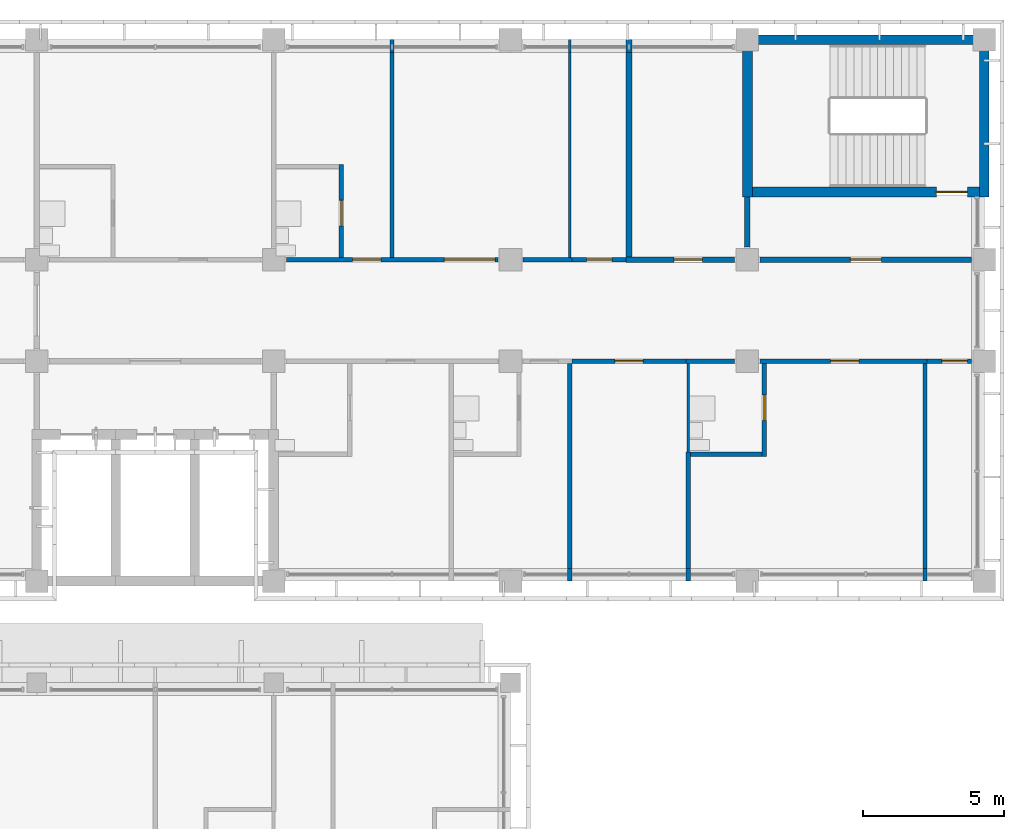
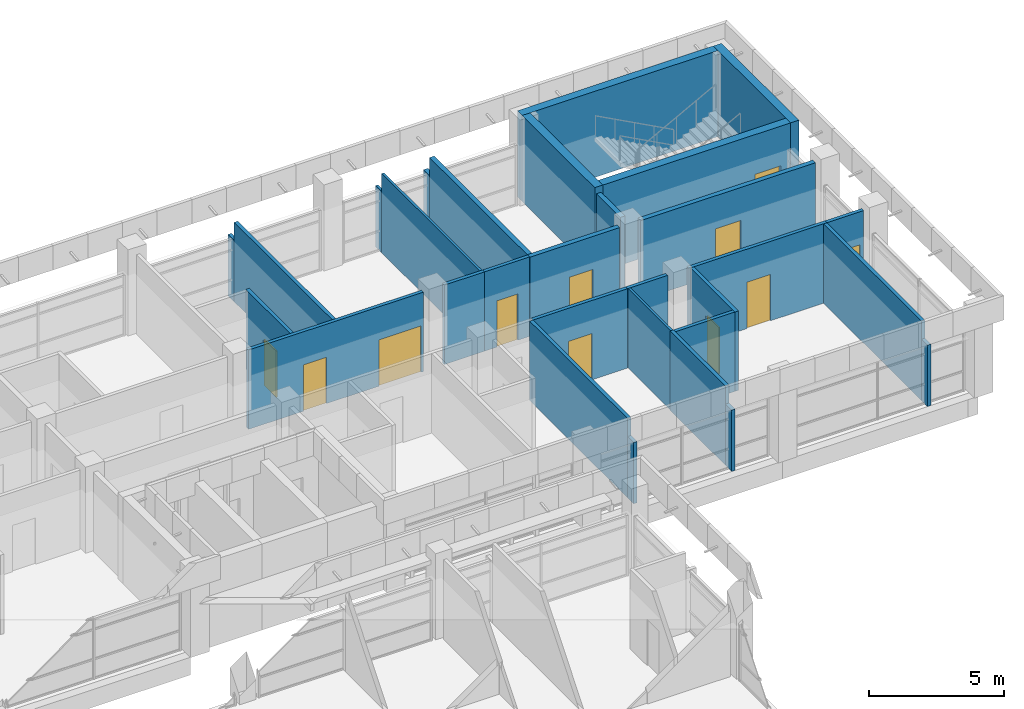
# One storey, part 39 of 71: 30 walls, 11 doors, 11 openings.
"""IFC4 building model written with IfcOpenShell, lengths in metres."""

from ifc_helpers import new_model, si_unit, direction, frame, frame_2d, origin, place, context, subcontext, project, spatial, rectangle, extrude, material, layer, layer_set, type_object, element, fill, save


model = new_model("IFC4")

# Units and contexts
model_context = context("Model", 3, precision=1e-05, world=origin(), true_north=direction((0.0, 1.0)))
body_context = subcontext(model_context, "Body", "Model", "MODEL_VIEW")
ifc_project = project(units=[si_unit("LENGTHUNIT", "METRE"), si_unit("AREAUNIT", "SQUARE_METRE"), si_unit("VOLUMEUNIT", "CUBIC_METRE"), si_unit("PLANEANGLEUNIT", "RADIAN"), si_unit("MASSUNIT", "GRAM", prefix="KILO")], contexts=[model_context])

# Site, building, storey
site_placement = place(None, origin())
site = spatial("IfcSite", under=ifc_project, at=site_placement, CompositionType="ELEMENT")
building_placement = place(site_placement, origin())
building = spatial("IfcBuilding", under=site, at=building_placement, Name="Bougainvillea Quay General Hospital", CompositionType="ELEMENT")
storey_placement = place(building_placement, frame((0.0, 0.0, 24.89990234375)))
storey = spatial("IfcBuildingStorey", under=building, at=storey_placement, Name="L05", CompositionType="ELEMENT", Elevation=24.89990234375)

# Walls
ifc_material_1 = material(Name="Gypsum board partition on steel studs", Category="steel")
ifc_layer_1 = layer(ifc_material_1, 0.10009765625)
ifc_layer_set_1 = layer_set([ifc_layer_1], Name="Gypsum board partition on steel studs")
wall_type_1 = type_object("IfcWallType", Name="Partition 100 Gypsum board partition", PredefinedType="PARTITIONING", material=ifc_layer_set_1)
wall_1_placement = place(storey_placement, frame((170.10009765625, 151.875, 0.0), z_axis=(0.0, 0.0, 1.0), x_axis=(0.0, 1.0, 0.0)))
element("IfcWall", 1, at=wall_1_placement, inside=storey, type_object=wall_type_1, Name="Partition 100 mm", PredefinedType="PARTITIONING", context=body_context, shape_type="SweptSolid", body=[
    extrude(rectangle(XDim=7.27490234375, YDim=0.10009765625, at=frame_2d((3.637451171875, 0.0))), origin(), (0.0, 0.0, 1.0), 3.60009765625),
])
wall_2_placement = place(storey_placement, frame((170.10009765625, 159.14990234375, 0.0), z_axis=(0.0, 0.0, 1.0), x_axis=(0.0, 1.0, 0.0)))
element("IfcWall", 2, at=wall_2_placement, inside=storey, type_object=wall_type_1, Name="Partition 100 mm", PredefinedType="PARTITIONING", context=body_context, shape_type="SweptSolid", body=[
    extrude(rectangle(XDim=0.4501953125, YDim=0.10009765625, at=frame_2d((0.22509765625, 0.0))), origin(), (0.0, 0.0, 1.0), 2.780029296875),
])
wall_3_placement = place(storey_placement, frame((174.300048828125, 144.97509765625, 0.0), z_axis=(0.0, 0.0, 1.0), x_axis=(0.0, 1.0, 0.0)))
element("IfcWall", 3, at=wall_3_placement, inside=storey, type_object=wall_type_1, Name="Partition 100 mm", PredefinedType="PARTITIONING", context=body_context, shape_type="SweptSolid", body=[
    extrude(rectangle(XDim=3.14990234375, YDim=0.10009765625, at=frame_2d((1.574951171875, 0.0))), origin(), (0.0, 0.0, 1.0), 3.60009765625),
])
ifc_material_2 = material(Name="Gypsum board partition on steel studs, insulated", Category="steel")
ifc_layer_2 = layer(ifc_material_2, 0.14990234375)
ifc_layer_set_2 = layer_set([ifc_layer_2], Name="Gypsum board partition on steel studs, insulated")
wall_type_2 = type_object("IfcWallType", Name="Partition 150 Gypsum board partition", PredefinedType="PARTITIONING", material=ifc_layer_set_2)
wall_4_placement = place(storey_placement, frame((163.800048828125, 151.875, 0.0), z_axis=(0.0, 0.0, 1.0), x_axis=(0.0, 1.0, 0.0)))
element("IfcWall", 4, at=wall_4_placement, inside=storey, type_object=wall_type_2, Name="Partition 150 mm", PredefinedType="PARTITIONING", context=body_context, shape_type="SweptSolid", body=[
    extrude(rectangle(XDim=7.27490234375, YDim=0.14990234375, at=frame_2d((3.637451171875, 0.0))), origin(), (0.0, 0.0, 1.0), 3.60009765625),
])
for number, where, z_axis, x_axis, name in (
    (5, (163.800048828125, 159.14990234375, 0.0), (0.0, 0.0, 1.0), (0.0, 1.0, 0.0), "Partition 150 mm"),
    (6, (170.10009765625, 140.39990234375, 0.0), (0.0, 0.0, 1.0), (0.0, 1.0, 0.0), "Partition 150 mm"),
):
    element("IfcWall", number, at=place(storey_placement, frame(where, z_axis=z_axis, x_axis=x_axis)), inside=storey, type_object=wall_type_2, Name=name, PredefinedType="PARTITIONING", context=body_context, shape_type="SweptSolid", body=[
        extrude(rectangle(XDim=0.4501953125, YDim=0.14990234375, at=frame_2d((0.22509765625, 0.0))), origin(), (0.0, 0.0, 1.0), 2.780029296875),
    ])
wall_5_placement = place(storey_placement, frame((170.10009765625, 140.85009765625, 0.0), z_axis=(0.0, 0.0, 1.0), x_axis=(0.0, 1.0, 0.0)))
element("IfcWall", 7, at=wall_5_placement, inside=storey, type_object=wall_type_2, Name="Partition 150 mm", PredefinedType="PARTITIONING", context=body_context, shape_type="SweptSolid", body=[
    extrude(rectangle(XDim=7.27490234375, YDim=0.14990234375, at=frame_2d((3.637451171875, 0.0))), origin(), (0.0, 0.0, 1.0), 3.60009765625),
])
wall_6_placement = place(storey_placement, frame((182.699951171875, 140.39990234375, 0.0), z_axis=(0.0, 0.0, 1.0), x_axis=(0.0, 1.0, 0.0)))
element("IfcWall", 8, at=wall_6_placement, inside=storey, type_object=wall_type_2, Name="Partition 150 mm", PredefinedType="PARTITIONING", context=body_context, shape_type="SweptSolid", body=[
    extrude(rectangle(XDim=0.4501953125, YDim=0.14990234375, at=frame_2d((0.22509765625, 0.0))), origin(), (0.0, 0.0, 1.0), 2.780029296875),
])
wall_7_placement = place(storey_placement, frame((182.699951171875, 140.85009765625, 0.0), z_axis=(0.0, 0.0, 1.0), x_axis=(0.0, 1.0, 0.0)))
element("IfcWall", 9, at=wall_7_placement, inside=storey, type_object=wall_type_2, Name="Partition 150 mm", PredefinedType="PARTITIONING", context=body_context, shape_type="SweptSolid", body=[
    extrude(rectangle(XDim=7.27490234375, YDim=0.14990234375, at=frame_2d((3.637451171875, 0.0))), origin(), (0.0, 0.0, 1.0), 3.60009765625),
])
wall_8_placement = place(storey_placement, frame((174.300048828125, 140.39990234375, 0.0), z_axis=(0.0, 0.0, 1.0), x_axis=(0.0, 1.0, 0.0)))
element("IfcWall", 10, at=wall_8_placement, inside=storey, type_object=wall_type_2, Name="Partition 150 mm", PredefinedType="PARTITIONING", context=body_context, shape_type="SweptSolid", body=[
    extrude(rectangle(XDim=0.4501953125, YDim=0.14990234375, at=frame_2d((0.22509765625, 0.0))), origin(), (0.0, 0.0, 1.0), 2.780029296875),
])
wall_9_placement = place(storey_placement, frame((174.300048828125, 140.85009765625, 0.0), z_axis=(0.0, 0.0, 1.0), x_axis=(0.0, 1.0, 0.0)))
element("IfcWall", 11, at=wall_9_placement, inside=storey, type_object=wall_type_2, Name="Partition 150 mm", PredefinedType="PARTITIONING", context=body_context, shape_type="SweptSolid", body=[
    extrude(rectangle(XDim=4.125, YDim=0.14990234375, at=frame_2d((2.0625, 0.0))), origin(), (0.0, 0.0, 1.0), 3.60009765625),
])

# Wall, opening, door
wall_10_placement = place(storey_placement, frame((162.0, 151.875, 0.0), z_axis=(0.0, 0.0, 1.0), x_axis=(0.0, 1.0, 0.0)))
wall_10 = element("IfcWall", 12, at=wall_10_placement, inside=storey, type_object=wall_type_2, Name="Partition 150 mm", PredefinedType="PARTITIONING", context=body_context, shape_type="SweptSolid", body=[
    extrude(rectangle(XDim=3.300048828125, YDim=0.14990234375, at=frame_2d((1.64990234375, 0.0))), origin(), (0.0, 0.0, 1.0), 3.60009765625),
])
opening_1_placement = place(wall_10_placement, frame((1.125, 0.0, 0.0)))
opening_1 = element("IfcOpeningElement", 13, at=opening_1_placement, cuts=wall_10, Name="Opening L05.056", PredefinedType="OPENING", context=body_context, shape_type="SweptSolid", body=[
    extrude(rectangle(XDim=0.89990234375, YDim=2.10009765625, at=frame_2d((0.449951171875, 1.050048828125))), frame((0.0, 0.0849609375, 0.0), z_axis=(0.0, -1.0, 0.0), x_axis=(1.0, 0.0, 0.0)), (0.0, 0.0, 1.0), 0.169921875),
])
ifc_material_3 = material(Name="Solid-core timber door leaf in steel frame", Category="steel")
door_type_1 = type_object("IfcDoorType", Name="Single leaf door 900x2100", OperationType="NOTDEFINED", PredefinedType="DOOR", material=ifc_material_3)
door_1_placement = place(opening_1_placement, origin())
door_1 = element("IfcDoor", 14, at=door_1_placement, inside=storey, type_object=door_type_1, Name="DT07 L05.056", OperationType="SINGLE_SWING_LEFT", OverallHeight=2.10009765625, OverallWidth=0.89990234375, PredefinedType="DOOR", context=body_context, shape_type="SweptSolid", body=[
    extrude(rectangle(XDim=0.89990234375, YDim=2.10009765625, at=frame_2d((0.449951171875, 1.050048828125))), frame((0.0, 0.02490234375, 0.0), z_axis=(0.0, -1.0, 0.0), x_axis=(1.0, 0.0, 0.0)), (0.0, 0.0, 1.0), 0.050048828125),
])
fill(opening_1, door_1)

wall_11_placement = place(storey_placement, frame((177.0, 144.824951171875, 0.0), z_axis=(0.0, 0.0, 1.0), x_axis=(0.0, 1.0, 0.0)))
wall_11 = element("IfcWall", 15, at=wall_11_placement, inside=storey, type_object=wall_type_2, Name="Partition 150 mm", PredefinedType="PARTITIONING", context=body_context, shape_type="SweptSolid", body=[
    extrude(rectangle(XDim=3.300048828125, YDim=0.14990234375, at=frame_2d((1.64990234375, 0.0))), origin(), (0.0, 0.0, 1.0), 3.60009765625),
])
opening_2_placement = place(wall_11_placement, frame((1.27490234375, 0.0, 0.0)))
opening_2 = element("IfcOpeningElement", 16, at=opening_2_placement, cuts=wall_11, Name="Opening L05.065", PredefinedType="OPENING", context=body_context, shape_type="SweptSolid", body=[
    extrude(rectangle(XDim=0.89990234375, YDim=2.10009765625, at=frame_2d((0.449951171875, 1.050048828125))), frame((0.0, 0.0849609375, 0.0), z_axis=(0.0, -1.0, 0.0), x_axis=(1.0, 0.0, 0.0)), (0.0, 0.0, 1.0), 0.169921875),
])
door_2_placement = place(opening_2_placement, origin())
door_2 = element("IfcDoor", 17, at=door_2_placement, inside=storey, type_object=door_type_1, Name="DT07 L05.065", OperationType="SINGLE_SWING_RIGHT", OverallHeight=2.10009765625, OverallWidth=0.89990234375, PredefinedType="DOOR", context=body_context, shape_type="SweptSolid", body=[
    extrude(rectangle(XDim=0.89990234375, YDim=2.10009765625, at=frame_2d((0.449951171875, 1.050048828125))), frame((0.0, 0.02490234375, 0.0), z_axis=(0.0, -1.0, 0.0), x_axis=(1.0, 0.0, 0.0)), (0.0, 0.0, 1.0), 0.050048828125),
])
fill(opening_2, door_2)

# Walls
wall_12_placement = place(storey_placement, frame((174.375, 144.89990234375, 0.0), z_axis=(0.0, 0.0, 1.0), x_axis=(1.0, 0.0, 0.0)))
element("IfcWall", 18, at=wall_12_placement, inside=storey, type_object=wall_type_2, Name="Partition 150 mm", PredefinedType="PARTITIONING", context=body_context, shape_type="SweptSolid", body=[
    extrude(rectangle(XDim=2.550048828125, YDim=0.14990234375, at=frame_2d((1.27490234375, 0.0))), origin(), (0.0, 0.0, 1.0), 3.60009765625),
])
ifc_layer_3 = layer(ifc_material_2, 0.14990234375)
ifc_layer_set_3 = layer_set([ifc_layer_3], Name="Gypsum board partition on steel studs, insulated")
wall_type_3 = type_object("IfcWallType", Name="Partition 150 Gypsum board partition EI 30", PredefinedType="PARTITIONING", material=ifc_layer_set_3)
wall_13_placement = place(storey_placement, frame((170.175048828125, 151.800048828125, 0.0), z_axis=(0.0, 0.0, 1.0), x_axis=(-1.0, 0.0, 0.0)))
element("IfcWall", 19, at=wall_13_placement, inside=storey, type_object=wall_type_3, Name="Partition 150 mm EI 30", PredefinedType="PARTITIONING", context=body_context, shape_type="SweptSolid", body=[
    extrude(rectangle(XDim=1.72509765625, YDim=0.14990234375, at=frame_2d((0.862548828125, 0.0))), origin(), (0.0, 0.0, 1.0), 3.60009765625),
])

# Wall, openings, doors
wall_14_placement = place(storey_placement, frame((167.550048828125, 151.800048828125, 0.0), z_axis=(0.0, 0.0, 1.0), x_axis=(-1.0, 0.0, 0.0)))
wall_14 = element("IfcWall", 20, at=wall_14_placement, inside=storey, type_object=wall_type_3, Name="Partition 150 mm EI 30", PredefinedType="PARTITIONING", context=body_context, shape_type="SweptSolid", body=[
    extrude(rectangle(XDim=7.5, YDim=0.14990234375, at=frame_2d((3.75, 0.0))), origin(), (0.0, 0.0, 1.0), 3.60009765625),
])
opening_3_placement = place(wall_14_placement, frame((4.14990234375, 0.0, 0.0)))
opening_3 = element("IfcOpeningElement", 21, at=opening_3_placement, cuts=wall_14, Name="Opening L05.055", PredefinedType="OPENING", context=body_context, shape_type="SweptSolid", body=[
    extrude(rectangle(XDim=1.0, YDim=2.10009765625, at=frame_2d((0.5, 1.050048828125))), frame((0.0, 0.0849609375, 0.0), z_axis=(0.0, -1.0, 0.0), x_axis=(1.0, 0.0, 0.0)), (0.0, 0.0, 1.0), 0.169921875),
])
opening_4_placement = place(wall_14_placement, frame((0.10009765625, 0.0, 0.0)))
opening_4 = element("IfcOpeningElement", 22, at=opening_4_placement, cuts=wall_14, Name="Opening L05.057", PredefinedType="OPENING", context=body_context, shape_type="SweptSolid", body=[
    extrude(rectangle(XDim=1.800048828125, YDim=2.10009765625, at=frame_2d((0.89990234375, 1.050048828125))), frame((0.0, 0.0849609375, 0.0), z_axis=(0.0, -1.0, 0.0), x_axis=(1.0, 0.0, 0.0)), (0.0, 0.0, 1.0), 0.169921875),
])
ifc_material_4 = material(Name="Solid-core timber door leaves in steel frame", Category="steel")
door_type_2 = type_object("IfcDoorType", Name="Double leaf door 1800x2100 FD30S", OperationType="DOUBLE_DOOR_SINGLE_SWING", PredefinedType="DOOR", material=ifc_material_4)
door_3_placement = place(opening_4_placement, frame((1.800048828125, 0.0, 0.0), z_axis=(0.0, 0.0, 1.0), x_axis=(-1.0, 0.0, 0.0)))
door_3 = element("IfcDoor", 23, at=door_3_placement, inside=storey, type_object=door_type_2, Name="DT17 L05.057", OperationType="DOUBLE_DOOR_SINGLE_SWING", OverallHeight=2.10009765625, OverallWidth=1.800048828125, PredefinedType="DOOR", context=body_context, shape_type="SweptSolid", body=[
    extrude(rectangle(XDim=1.800048828125, YDim=2.10009765625, at=frame_2d((0.89990234375, 1.050048828125))), frame((0.0, 0.02490234375, 0.0), z_axis=(0.0, -1.0, 0.0), x_axis=(1.0, 0.0, 0.0)), (0.0, 0.0, 1.0), 0.050048828125),
])
fill(opening_4, door_3)
door_type_3 = type_object("IfcDoorType", Name="Single leaf door 1000x2100 FD30S", OperationType="NOTDEFINED", PredefinedType="DOOR", material=ifc_material_3)
door_4_placement = place(opening_3_placement, frame((1.0, 0.0, 0.0), z_axis=(0.0, 0.0, 1.0), x_axis=(-1.0, 0.0, 0.0)))
door_4 = element("IfcDoor", 24, at=door_4_placement, inside=storey, type_object=door_type_3, Name="DT15 L05.055", OperationType="SINGLE_SWING_LEFT", OverallHeight=2.10009765625, OverallWidth=1.0, PredefinedType="DOOR", context=body_context, shape_type="SweptSolid", body=[
    extrude(rectangle(XDim=1.0, YDim=2.10009765625, at=frame_2d((0.5, 1.050048828125))), frame((0.0, 0.02490234375, 0.0), z_axis=(0.0, -1.0, 0.0), x_axis=(1.0, 0.0, 0.0)), (0.0, 0.0, 1.0), 0.050048828125),
])
fill(opening_3, door_4)

# Wall
wall_15_placement = place(storey_placement, frame((174.22509765625, 148.199951171875, 0.0), z_axis=(0.0, 0.0, 1.0), x_axis=(1.0, 0.0, 0.0)))
element("IfcWall", 25, at=wall_15_placement, inside=storey, type_object=wall_type_3, Name="Partition 150 mm EI 30", PredefinedType="PARTITIONING", context=body_context, shape_type="SweptSolid", body=[
    extrude(rectangle(XDim=1.724853515625, YDim=0.14990234375, at=frame_2d((0.8623046875, 0.0))), origin(), (0.0, 0.0, 1.0), 3.60009765625),
])

# Wall, opening, door
wall_16_placement = place(storey_placement, frame((176.85009765625, 148.199951171875, 0.0), z_axis=(0.0, 0.0, 1.0), x_axis=(1.0, 0.0, 0.0)))
wall_16 = element("IfcWall", 26, at=wall_16_placement, inside=storey, type_object=wall_type_3, Name="Partition 150 mm EI 30", PredefinedType="PARTITIONING", context=body_context, shape_type="SweptSolid", body=[
    extrude(rectangle(XDim=5.9248046875, YDim=0.14990234375, at=frame_2d((2.96240234375, 0.0))), origin(), (0.0, 0.0, 1.0), 3.60009765625),
])
opening_5_placement = place(wall_16_placement, frame((2.5, 0.0, 0.0)))
opening_5 = element("IfcOpeningElement", 27, at=opening_5_placement, cuts=wall_16, Name="Opening L05.064", PredefinedType="OPENING", context=body_context, shape_type="SweptSolid", body=[
    extrude(rectangle(XDim=1.0, YDim=2.10009765625, at=frame_2d((0.5, 1.050048828125))), frame((0.0, 0.0849609375, 0.0), z_axis=(0.0, -1.0, 0.0), x_axis=(1.0, 0.0, 0.0)), (0.0, 0.0, 1.0), 0.169921875),
])
door_5_placement = place(opening_5_placement, frame((1.0, 0.0, 0.0), z_axis=(0.0, 0.0, 1.0), x_axis=(-1.0, 0.0, 0.0)))
door_5 = element("IfcDoor", 28, at=door_5_placement, inside=storey, type_object=door_type_3, Name="DT15 L05.064", OperationType="SINGLE_SWING_LEFT", OverallHeight=2.10009765625, OverallWidth=1.0, PredefinedType="DOOR", context=body_context, shape_type="SweptSolid", body=[
    extrude(rectangle(XDim=1.0, YDim=2.10009765625, at=frame_2d((0.5, 1.050048828125))), frame((0.0, 0.02490234375, 0.0), z_axis=(0.0, -1.0, 0.0), x_axis=(1.0, 0.0, 0.0)), (0.0, 0.0, 1.0), 0.050048828125),
])
fill(opening_5, door_5)

ifc_layer_4 = layer(ifc_material_2, 0.14990234375)
ifc_layer_set_4 = layer_set([ifc_layer_4], Name="Gypsum board partition on steel studs, insulated")
wall_type_4 = type_object("IfcWallType", Name="Partition 150 Gypsum board partition EI 60", PredefinedType="PARTITIONING", material=ifc_layer_set_4)
wall_17_placement = place(storey_placement, frame((170.175048828125, 148.199951171875, 0.0), z_axis=(0.0, 0.0, 1.0), x_axis=(1.0, 0.0, 0.0)))
wall_17 = element("IfcWall", 29, at=wall_17_placement, inside=storey, type_object=wall_type_4, Name="Partition 150 mm EI 60", PredefinedType="PARTITIONING", context=body_context, shape_type="SweptSolid", body=[
    extrude(rectangle(XDim=4.050048828125, YDim=0.14990234375, at=frame_2d((2.02490234375, 0.0))), origin(), (0.0, 0.0, 1.0), 3.60009765625),
])
opening_6_placement = place(wall_17_placement, frame((1.52490234375, 0.0, 0.0)))
opening_6 = element("IfcOpeningElement", 30, at=opening_6_placement, cuts=wall_17, Name="Opening L05.063", PredefinedType="OPENING", context=body_context, shape_type="SweptSolid", body=[
    extrude(rectangle(XDim=1.0, YDim=2.10009765625, at=frame_2d((0.5, 1.050048828125))), frame((0.0, 0.0849609375, 0.0), z_axis=(0.0, -1.0, 0.0), x_axis=(1.0, 0.0, 0.0)), (0.0, 0.0, 1.0), 0.169921875),
])
door_type_4 = type_object("IfcDoorType", Name="Single leaf door 1000x2100 FD60", OperationType="NOTDEFINED", PredefinedType="DOOR", material=ifc_material_3)
door_6_placement = place(opening_6_placement, frame((1.0, 0.0, 0.0), z_axis=(0.0, 0.0, 1.0), x_axis=(-1.0, 0.0, 0.0)))
door_6 = element("IfcDoor", 31, at=door_6_placement, inside=storey, type_object=door_type_4, Name="DT14 L05.063", OperationType="SINGLE_SWING_RIGHT", OverallHeight=2.10009765625, OverallWidth=1.0, PredefinedType="DOOR", context=body_context, shape_type="SweptSolid", body=[
    extrude(rectangle(XDim=1.0, YDim=2.10009765625, at=frame_2d((0.5, 1.050048828125))), frame((0.0, 0.02490234375, 0.0), z_axis=(0.0, -1.0, 0.0), x_axis=(1.0, 0.0, 0.0)), (0.0, 0.0, 1.0), 0.050048828125),
])
fill(opening_6, door_6)

wall_18_placement = place(storey_placement, frame((182.77490234375, 148.199951171875, 0.0), z_axis=(0.0, 0.0, 1.0), x_axis=(1.0, 0.0, 0.0)))
wall_18 = element("IfcWall", 32, at=wall_18_placement, inside=storey, type_object=wall_type_4, Name="Partition 150 mm EI 60", PredefinedType="PARTITIONING", context=body_context, shape_type="SweptSolid", body=[
    extrude(rectangle(XDim=1.5751953125, YDim=0.14990234375, at=frame_2d((0.78759765625, 0.0))), origin(), (0.0, 0.0, 1.0), 3.60009765625),
])
opening_7_placement = place(wall_18_placement, frame((0.52490234375, 0.0, 0.0)))
opening_7 = element("IfcOpeningElement", 33, at=opening_7_placement, cuts=wall_18, Name="Opening L05.066", PredefinedType="OPENING", context=body_context, shape_type="SweptSolid", body=[
    extrude(rectangle(XDim=0.89990234375, YDim=2.10009765625, at=frame_2d((0.449951171875, 1.050048828125))), frame((0.0, 0.0849609375, 0.0), z_axis=(0.0, -1.0, 0.0), x_axis=(1.0, 0.0, 0.0)), (0.0, 0.0, 1.0), 0.169921875),
])
door_type_5 = type_object("IfcDoorType", Name="Single leaf door 900x2100 FD60", OperationType="NOTDEFINED", PredefinedType="DOOR", material=ifc_material_3)
door_7_placement = place(opening_7_placement, frame((0.89990234375, 0.0, 0.0), z_axis=(0.0, 0.0, 1.0), x_axis=(-1.0, 0.0, 0.0)))
door_7 = element("IfcDoor", 34, at=door_7_placement, inside=storey, type_object=door_type_5, Name="DT18 L05.066", OperationType="SINGLE_SWING_LEFT", OverallHeight=2.10009765625, OverallWidth=0.89990234375, PredefinedType="DOOR", context=body_context, shape_type="SweptSolid", body=[
    extrude(rectangle(XDim=0.89990234375, YDim=2.10009765625, at=frame_2d((0.449951171875, 1.050048828125))), frame((0.0, 0.02490234375, 0.0), z_axis=(0.0, -1.0, 0.0), x_axis=(1.0, 0.0, 0.0)), (0.0, 0.0, 1.0), 0.050048828125),
])
fill(opening_7, door_7)

wall_19_placement = place(storey_placement, frame((170.175048828125, 151.800048828125, 0.0), z_axis=(0.0, 0.0, 1.0), x_axis=(1.0, 0.0, 0.0)))
wall_19 = element("IfcWall", 35, at=wall_19_placement, inside=storey, type_object=wall_type_4, Name="Partition 150 mm EI 60", PredefinedType="PARTITIONING", context=body_context, shape_type="SweptSolid", body=[
    extrude(rectangle(XDim=1.925048828125, YDim=0.14990234375, at=frame_2d((0.96240234375, 0.0))), origin(), (0.0, 0.0, 1.0), 3.60009765625),
])
opening_8_placement = place(wall_19_placement, frame((0.52490234375, 0.0, 0.0)))
opening_8 = element("IfcOpeningElement", 36, at=opening_8_placement, cuts=wall_19, Name="Opening L05.058", PredefinedType="OPENING", context=body_context, shape_type="SweptSolid", body=[
    extrude(rectangle(XDim=0.89990234375, YDim=2.10009765625, at=frame_2d((0.449951171875, 1.050048828125))), frame((0.0, 0.0849609375, 0.0), z_axis=(0.0, -1.0, 0.0), x_axis=(1.0, 0.0, 0.0)), (0.0, 0.0, 1.0), 0.169921875),
])
door_8_placement = place(opening_8_placement, origin())
door_8 = element("IfcDoor", 37, at=door_8_placement, inside=storey, type_object=door_type_5, Name="DT18 L05.058", OperationType="SINGLE_SWING_RIGHT", OverallHeight=2.10009765625, OverallWidth=0.89990234375, PredefinedType="DOOR", context=body_context, shape_type="SweptSolid", body=[
    extrude(rectangle(XDim=0.89990234375, YDim=2.10009765625, at=frame_2d((0.449951171875, 1.050048828125))), frame((0.0, 0.02490234375, 0.0), z_axis=(0.0, -1.0, 0.0), x_axis=(1.0, 0.0, 0.0)), (0.0, 0.0, 1.0), 0.050048828125),
])
fill(opening_8, door_8)

ifc_material_5 = material(Name="Fire-rated autoclaved aerated block wall, plastered")
ifc_layer_5 = layer(ifc_material_5, 0.199951171875)
ifc_layer_set_5 = layer_set([ifc_layer_5], Name="Fire-rated autoclaved aerated block wall, plastered")
wall_type_5 = type_object("IfcWallType", Name="Partition 200 Fire-rated autoclaved aerated block wall EI 120", PredefinedType="SOLIDWALL", material=ifc_layer_set_5)
wall_20_placement = place(storey_placement, frame((172.10009765625, 151.800048828125, 0.0), z_axis=(0.0, 0.0, 1.0), x_axis=(1.0, 0.0, 0.0)))
wall_20 = element("IfcWall", 38, at=wall_20_placement, inside=storey, type_object=wall_type_5, Name="Partition 200 mm EI 120", PredefinedType="SOLIDWALL", context=body_context, shape_type="SweptSolid", body=[
    extrude(rectangle(XDim=3.849853515625, YDim=0.199951171875, at=frame_2d((1.9248046875, 0.0))), origin(), (0.0, 0.0, 1.0), 3.60009765625),
])
opening_9_placement = place(wall_20_placement, frame((1.699951171875, 0.0, 0.0)))
opening_9 = element("IfcOpeningElement", 39, at=opening_9_placement, cuts=wall_20, Name="Opening L05.071", PredefinedType="OPENING", context=body_context, shape_type="SweptSolid", body=[
    extrude(rectangle(XDim=1.0, YDim=2.10009765625, at=frame_2d((0.5, 1.050048828125))), frame((0.0, 0.10986328125, 0.0), z_axis=(0.0, -1.0, 0.0), x_axis=(1.0, 0.0, 0.0)), (0.0, 0.0, 1.0), 0.219970703125),
])
ifc_material_6 = material(Name="Steel fire door leaf in steel frame", Category="steel")
door_type_6 = type_object("IfcDoorType", Name="Steel single leaf door 1000x2100 FD90", OperationType="NOTDEFINED", PredefinedType="DOOR", material=ifc_material_6)
door_9_placement = place(opening_9_placement, origin())
door_9 = element("IfcDoor", 40, at=door_9_placement, inside=storey, type_object=door_type_6, Name="DT11 L05.071", OperationType="SINGLE_SWING_RIGHT", OverallHeight=2.10009765625, OverallWidth=1.0, PredefinedType="DOOR", context=body_context, shape_type="SweptSolid", body=[
    extrude(rectangle(XDim=1.0, YDim=2.10009765625, at=frame_2d((0.5, 1.050048828125))), frame((0.0, 0.02490234375, 0.0), z_axis=(0.0, -1.0, 0.0), x_axis=(1.0, 0.0, 0.0)), (0.0, 0.0, 1.0), 0.050048828125),
])
fill(opening_9, door_9)

wall_21_placement = place(storey_placement, frame((176.85009765625, 151.800048828125, 0.0), z_axis=(0.0, 0.0, 1.0), x_axis=(1.0, 0.0, 0.0)))
wall_21 = element("IfcWall", 41, at=wall_21_placement, inside=storey, type_object=wall_type_5, Name="Partition 200 mm EI 120", PredefinedType="SOLIDWALL", context=body_context, shape_type="SweptSolid", body=[
    extrude(rectangle(XDim=7.5, YDim=0.199951171875, at=frame_2d((3.75, 0.0))), origin(), (0.0, 0.0, 1.0), 3.60009765625),
])
opening_10_placement = place(wall_21_placement, frame((3.199951171875, 0.0, 0.0)))
opening_10 = element("IfcOpeningElement", 42, at=opening_10_placement, cuts=wall_21, Name="Opening L05.156", PredefinedType="OPENING", context=body_context, shape_type="SweptSolid", body=[
    extrude(rectangle(XDim=1.10009765625, YDim=2.10009765625, at=frame_2d((0.550048828125, 1.050048828125))), frame((0.0, 0.10986328125, 0.0), z_axis=(0.0, -1.0, 0.0), x_axis=(1.0, 0.0, 0.0)), (0.0, 0.0, 1.0), 0.219970703125),
])
door_type_7 = type_object("IfcDoorType", Name="Steel single leaf door 1100x2100 FD60", OperationType="NOTDEFINED", PredefinedType="DOOR", material=ifc_material_6)
door_10_placement = place(opening_10_placement, origin())
door_10 = element("IfcDoor", 43, at=door_10_placement, inside=storey, type_object=door_type_7, Name="DT04 L05.156", OperationType="SINGLE_SWING_RIGHT", OverallHeight=2.10009765625, OverallWidth=1.10009765625, PredefinedType="DOOR", context=body_context, shape_type="SweptSolid", body=[
    extrude(rectangle(XDim=1.10009765625, YDim=2.10009765625, at=frame_2d((0.550048828125, 1.050048828125))), frame((0.0, 0.02490234375, 0.0), z_axis=(0.0, -1.0, 0.0), x_axis=(1.0, 0.0, 0.0)), (0.0, 0.0, 1.0), 0.050048828125),
])
fill(opening_10, door_10)

# Walls
wall_22_placement = place(storey_placement, frame((176.39990234375, 152.25, 0.0), z_axis=(0.0, 0.0, 1.0), x_axis=(0.0, 1.0, 0.0)))
element("IfcWall", 44, at=wall_22_placement, inside=storey, type_object=wall_type_5, Name="Partition 200 mm EI 120", PredefinedType="SOLIDWALL", context=body_context, shape_type="SweptSolid", body=[
    extrude(rectangle(XDim=1.77490234375, YDim=0.199951171875, at=frame_2d((0.887451171875, 0.0))), origin(), (0.0, 0.0, 1.0), 3.60009765625),
])
wall_23_placement = place(storey_placement, frame((172.199951171875, 151.89990234375, 0.0), z_axis=(0.0, 0.0, 1.0), x_axis=(0.0, 1.0, 0.0)))
element("IfcWall", 45, at=wall_23_placement, inside=storey, type_object=wall_type_5, Name="Partition 200 mm EI 120", PredefinedType="SOLIDWALL", context=body_context, shape_type="SweptSolid", body=[
    extrude(rectangle(XDim=7.25, YDim=0.199951171875, at=frame_2d((3.625, 0.0))), origin(), (0.0, 0.0, 1.0), 3.60009765625),
])
wall_24_placement = place(storey_placement, frame((172.199951171875, 159.14990234375, 0.0), z_axis=(0.0, 0.0, 1.0), x_axis=(0.0, 1.0, 0.0)))
element("IfcWall", 46, at=wall_24_placement, inside=storey, type_object=wall_type_5, Name="Partition 200 mm EI 120", PredefinedType="SOLIDWALL", context=body_context, shape_type="SweptSolid", body=[
    extrude(rectangle(XDim=0.4501953125, YDim=0.199951171875, at=frame_2d((0.22509765625, 0.0))), origin(), (0.0, 0.0, 1.0), 2.780029296875),
])
ifc_material_7 = material(Name="Concrete C40", Category="concrete")
ifc_layer_6 = layer(ifc_material_7, 0.35009765625)
ifc_layer_set_6 = layer_set([ifc_layer_6], Name="Concrete C40")
wall_type_6 = type_object("IfcWallType", Name="RC SHEAR WALL 350 C40", PredefinedType="SHEAR", material=ifc_layer_set_6)
wall_25_placement = place(storey_placement, frame((176.22509765625, 159.60009765625, 0.0), z_axis=(0.0, 0.0, 1.0), x_axis=(1.0, 0.0, 0.0)))
element("IfcWall", 47, at=wall_25_placement, inside=storey, type_object=wall_type_6, Name="Shear wall L05", PredefinedType="SHEAR", context=body_context, shape_type="SweptSolid", body=[
    extrude(rectangle(XDim=8.39990234375, YDim=0.35009765625, at=frame_2d((4.199951171875, 0.0))), origin(), (0.0, 0.0, 1.0), 3.900146484375),
])
wall_26_placement = place(storey_placement, frame((176.39990234375, 154.02490234375, 0.0), z_axis=(0.0, 0.0, 1.0), x_axis=(0.0, 1.0, 0.0)))
element("IfcWall", 48, at=wall_26_placement, inside=storey, type_object=wall_type_6, Name="Shear wall L05", PredefinedType="SHEAR", context=body_context, shape_type="SweptSolid", body=[
    extrude(rectangle(XDim=5.400146484375, YDim=0.35009765625, at=frame_2d((2.7001953125, 0.0))), origin(), (0.0, 0.0, 1.0), 3.900146484375),
])

# Wall, opening, door
wall_27_placement = place(storey_placement, frame((176.574951171875, 154.199951171875, 0.0), z_axis=(0.0, 0.0, 1.0), x_axis=(1.0, 0.0, 0.0)))
wall_27 = element("IfcWall", 49, at=wall_27_placement, inside=storey, type_object=wall_type_6, Name="Shear wall L05", PredefinedType="SHEAR", context=body_context, shape_type="SweptSolid", body=[
    extrude(rectangle(XDim=8.050048828125, YDim=0.35009765625, at=frame_2d((4.02490234375, 0.0))), origin(), (0.0, 0.0, 1.0), 3.900146484375),
])
opening_11_placement = place(wall_27_placement, frame((6.52490234375, 0.0, 0.0)))
opening_11 = element("IfcOpeningElement", 50, at=opening_11_placement, cuts=wall_27, Name="Opening L05.155", PredefinedType="OPENING", context=body_context, shape_type="SweptSolid", body=[
    extrude(rectangle(XDim=1.10009765625, YDim=2.10009765625, at=frame_2d((0.550048828125, 1.050048828125))), frame((0.0, 0.18505859375, 0.0), z_axis=(0.0, -1.0, 0.0), x_axis=(1.0, 0.0, 0.0)), (0.0, 0.0, 1.0), 0.3701171875),
])
door_11_placement = place(opening_11_placement, origin())
door_11 = element("IfcDoor", 51, at=door_11_placement, inside=storey, type_object=door_type_7, Name="DT04 L05.155", OperationType="SINGLE_SWING_RIGHT", OverallHeight=2.10009765625, OverallWidth=1.10009765625, PredefinedType="DOOR", context=body_context, shape_type="SweptSolid", body=[
    extrude(rectangle(XDim=1.10009765625, YDim=2.10009765625, at=frame_2d((0.550048828125, 1.050048828125))), frame((0.0, 0.02490234375, 0.0), z_axis=(0.0, -1.0, 0.0), x_axis=(1.0, 0.0, 0.0)), (0.0, 0.0, 1.0), 0.050048828125),
])
fill(opening_11, door_11)

# Wall
wall_28_placement = place(storey_placement, frame((184.800048828125, 154.02490234375, 0.0), z_axis=(0.0, 0.0, 1.0), x_axis=(0.0, 1.0, 0.0)))
element("IfcWall", 52, at=wall_28_placement, inside=storey, type_object=wall_type_6, Name="Shear wall L05", PredefinedType="SHEAR", context=body_context, shape_type="SweptSolid", body=[
    extrude(rectangle(XDim=5.75, YDim=0.35009765625, at=frame_2d((2.875, 0.0))), origin(), (0.0, 0.0, 1.0), 3.900146484375),
])

save(model, "model.ifc")
